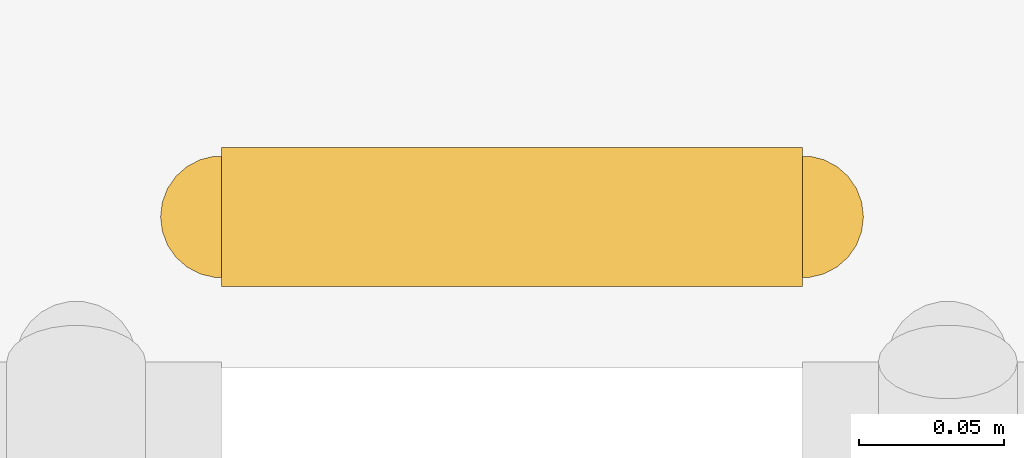
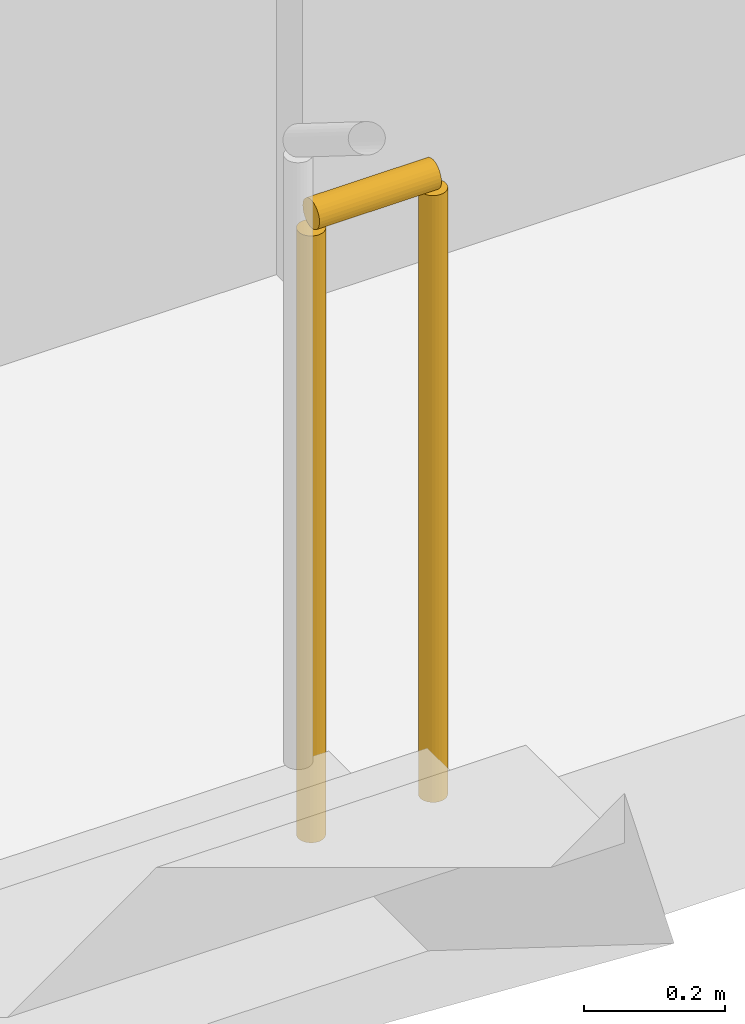
# One storey, part 22 of 22: 1 railing.
"""IFC4 building model written with IfcOpenShell, lengths in metres."""

from ifc_helpers import new_model, si_unit, direction, frame, origin, origin_2d, place, context, subcontext, project, spatial, circle, extrude, material, type_object, element, save


model = new_model("IFC4")

# Units and contexts
model_context = context("Model", 3, precision=1e-05, world=origin(), true_north=direction((0.0, 1.0)))
body_context = subcontext(model_context, "Body", "Model", "MODEL_VIEW")
ifc_project = project(units=[si_unit("LENGTHUNIT", "METRE"), si_unit("AREAUNIT", "SQUARE_METRE"), si_unit("VOLUMEUNIT", "CUBIC_METRE"), si_unit("PLANEANGLEUNIT", "RADIAN"), si_unit("MASSUNIT", "GRAM", prefix="KILO")], contexts=[model_context])

# Site, building, storey
site_placement = place(None, origin())
site = spatial("IfcSite", under=ifc_project, at=site_placement, CompositionType="ELEMENT")
building_placement = place(site_placement, origin())
building = spatial("IfcBuilding", under=site, at=building_placement, Name="Kiln Ring Residences", CompositionType="ELEMENT")
storey_placement = place(building_placement, frame((0.0, 0.0, 167.60009765625)))
storey = spatial("IfcBuildingStorey", under=building, at=storey_placement, Name="L43", CompositionType="ELEMENT", Elevation=167.60009765625)

# Railing
ifc_material = material(Name="Stainless steel", Category="steel")
railing_type = type_object("IfcRailingType", Name="CORE-STAIR-GUARD", PredefinedType="GUARDRAIL", material=ifc_material)
railing_placement = place(storey_placement, frame((22.0, 8.449951171875, 0.0)))
element("IfcRailing", 1, at=railing_placement, inside=storey, type_object=railing_type, Name="L43 E-STN stair guard 4", PredefinedType="GUARDRAIL", context=body_context, shape_type="SweptSolid", body=[
    extrude(circle(Radius=0.02392578125, at=origin_2d()), frame((0.0, 0.0, 1.076171875), z_axis=(1.0, 0.0, 0.0), x_axis=(0.0, 1.0, 0.0)), (0.0, 0.0, 1.0), 0.199951171875),
    extrude(circle(Radius=0.02099609375, at=origin_2d()), origin(), (0.0, 0.0, 1.0), 1.052001953125),
    extrude(circle(Radius=0.02099609375, at=origin_2d()), frame((0.199951171875, 0.0, 0.0)), (0.0, 0.0, 1.0), 1.052001953125),
])

save(model, "model.ifc")
